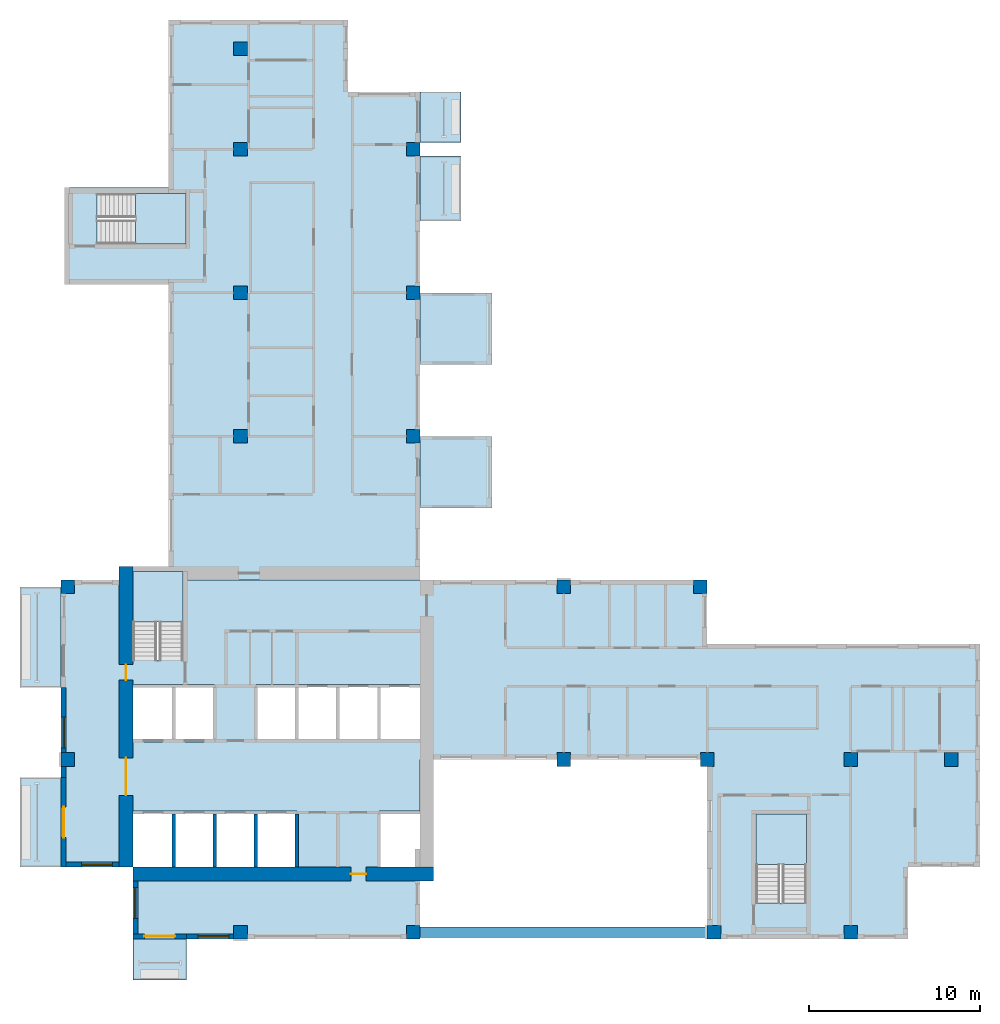
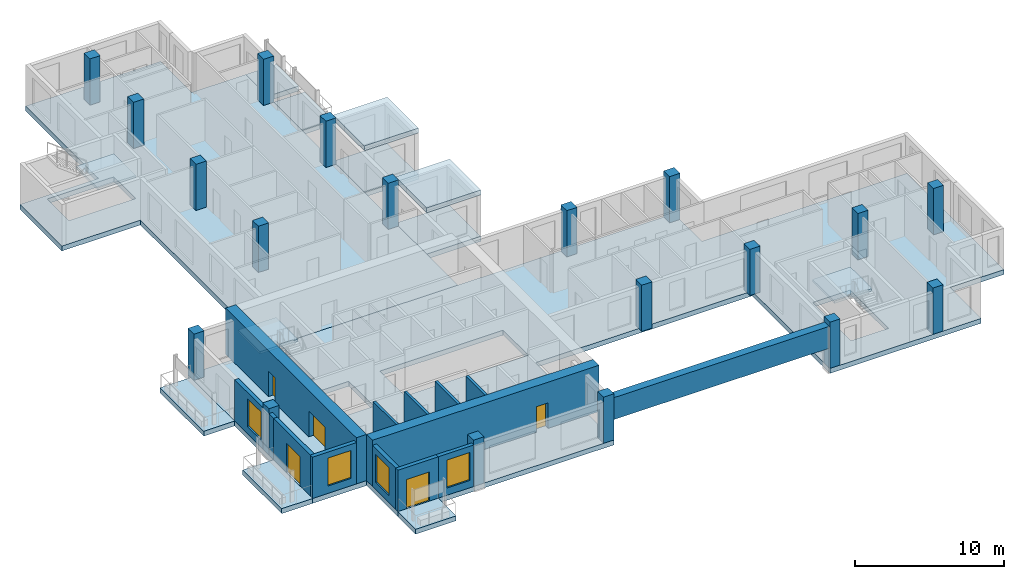
# One storey, part 1 of 11: 19 columns, 14 slabs, 13 walls, 5 doors, 4 windows, 1 beam, 9 openings, 3 elements without a shape of their own.
"""IFC4 building model written with IfcOpenShell, lengths in metres."""

from ifc_helpers import new_model, si_unit, direction, frame, frame_2d, origin, origin_2d, place, context, subcontext, project, spatial, polyline, rectangle, outline, extrude, source, transform, mapped, material, layer, layer_set, material_profile, profile_set, type_object, element, fill, aggregate, save


model = new_model("IFC4")

# Units and contexts
model_context = context("Model", 3, precision=1e-05, world=origin(), true_north=direction((0.0, 1.0)))
body_context = subcontext(model_context, "Body", "Model", "MODEL_VIEW")
ifc_project = project(units=[si_unit("LENGTHUNIT", "METRE"), si_unit("AREAUNIT", "SQUARE_METRE"), si_unit("VOLUMEUNIT", "CUBIC_METRE"), si_unit("PLANEANGLEUNIT", "RADIAN"), si_unit("MASSUNIT", "GRAM", prefix="KILO")], contexts=[model_context])

# Site, building, storey
site_placement = place(None, origin())
site = spatial("IfcSite", under=ifc_project, at=site_placement, CompositionType="ELEMENT")
building_placement = place(site_placement, origin())
building = spatial("IfcBuilding", under=site, at=building_placement, Name="Aurelian Terraces", CompositionType="ELEMENT")
storey_placement = place(building_placement, frame((0.0, 0.0, 261.4)))
storey = spatial("IfcBuildingStorey", under=building, at=storey_placement, Name="L60", CompositionType="ELEMENT", Elevation=261.4)

# Columns
ifc_material_1 = material(Name="Concrete fc' 70 MPa", Category="concrete")
ifc_material_profile_1 = material_profile(ifc_material_1, rectangle(XDim=0.8, YDim=0.8, at=origin_2d()))
ifc_profile_set_1 = profile_set([ifc_material_profile_1], Name="Concrete fc' 70 MPa")
column_type = type_object("IfcColumnType", Name="RC COLUMN 800X800 FC70", PredefinedType="COLUMN", material=ifc_profile_set_1)
shared_shape_1 = source(origin(), body_context, "Body", "SweptSolid", [
    extrude(rectangle(XDim=0.8, YDim=0.8, at=origin_2d()), origin(), (0.0, 0.0, 1.0), 3.8),
])
for number, where, z_axis, x_axis, name in (
    (1, (10.5, 0.4, 0.0), (0.0, 0.0, 1.0), (1.0, 0.0, 0.0), "Column 2/A L60"),
    (2, (20.6, 0.4, 0.0), (0.0, 0.0, 1.0), (1.0, 0.0, 0.0), "Column 3/A L60"),
    (3, (38.2, 0.4, 0.0), (0.0, 0.0, 1.0), (1.0, 0.0, 0.0), "Column 5/A L60"),
    (4, (46.2, 0.4, 0.0), (0.0, 0.0, 1.0), (1.0, 0.0, 0.0), "Column 6/A L60"),
    (5, (0.4, 10.5, 0.0), (0.0, 0.0, 1.0), (1.0, 0.0, 0.0), "Column 1/B L60"),
    (6, (29.4, 10.5, 0.0), (0.0, 0.0, 1.0), (1.0, 0.0, 0.0), "Column 4/B L60"),
    (7, (37.8, 10.5, 0.0), (0.0, 0.0, 1.0), (1.0, 0.0, 0.0), "Column 5/B L60"),
    (8, (46.2, 10.5, 0.0), (0.0, 0.0, 1.0), (1.0, 0.0, 0.0), "Column 6/B L60"),
    (9, (52.08, 10.5, 0.0), (0.0, 0.0, 1.0), (1.0, 0.0, 0.0), "Column 7/B L60"),
    (10, (0.4, 20.6, 0.0), (0.0, 0.0, 1.0), (1.0, 0.0, 0.0), "Column 1/C L60"),
    (11, (29.4, 20.6, 0.0), (0.0, 0.0, 1.0), (1.0, 0.0, 0.0), "Column 4/C L60"),
    (12, (37.4, 20.6, 0.0), (0.0, 0.0, 1.0), (1.0, 0.0, 0.0), "Column 5/C L60"),
    (13, (10.5, 29.4, 0.0), (0.0, 0.0, 1.0), (1.0, 0.0, 0.0), "Column 2/D L60"),
    (14, (20.6, 29.4, 0.0), (0.0, 0.0, 1.0), (1.0, 0.0, 0.0), "Column 3/D L60"),
    (15, (10.5, 37.8, 0.0), (0.0, 0.0, 1.0), (1.0, 0.0, 0.0), "Column 2/E L60"),
    (16, (20.6, 37.8, 0.0), (0.0, 0.0, 1.0), (1.0, 0.0, 0.0), "Column 3/E L60"),
    (17, (10.5, 46.2, 0.0), (0.0, 0.0, 1.0), (1.0, 0.0, 0.0), "Column 2/F L60"),
    (18, (20.6, 46.2, 0.0), (0.0, 0.0, 1.0), (1.0, 0.0, 0.0), "Column 3/F L60"),
    (19, (10.5, 52.08, 0.0), (0.0, 0.0, 1.0), (1.0, 0.0, 0.0), "Column 2/G L60"),
):
    element("IfcColumn", number, at=place(storey_placement, frame(where, z_axis=z_axis, x_axis=x_axis)), inside=storey, type_object=column_type, Name=name, PredefinedType="COLUMN", context=body_context, shape_type="MappedRepresentation", body=[
        mapped(shared_shape_1, transform((0.0, 0.0, 0.0), scale=1.0)),
    ])

# Beam
ifc_material_profile_2 = material_profile(ifc_material_1, rectangle(XDim=0.6, YDim=1.8, at=origin_2d()))
ifc_profile_set_2 = profile_set([ifc_material_profile_2], Name="Concrete fc' 70 MPa")
beam_type = type_object("IfcBeamType", Name="CONCRETE HEAD GIRDER 600X1800", PredefinedType="BEAM", material=ifc_profile_set_2)
shared_shape_2 = source(origin(), body_context, "Body", "SweptSolid", [
    extrude(rectangle(XDim=0.6, YDim=1.8, at=origin_2d()), origin(), (0.0, 0.0, 1.0), 16.8),
])
beam_placement = place(storey_placement, frame((21.0, 0.4, 2.5), z_axis=(1.0, 0.0, 0.0), x_axis=(0.0, 1.0, 0.0)))
element("IfcBeam", 20, at=beam_placement, inside=storey, type_object=beam_type, Name="Sky terrace head girder SKY-09.1", PredefinedType="BEAM", context=body_context, shape_type="MappedRepresentation", body=[
    mapped(shared_shape_2, transform((0.0, 0.0, 0.0), scale=1.0)),
])

# Slabs
ifc_material_2 = material(Name="Concrete fc' 40 MPa", Category="concrete")
ifc_layer_1 = layer(ifc_material_2, 0.4)
ifc_layer_set_1 = layer_set([ifc_layer_1], Name="PT FLAT PLATE 400")
slab_type_1 = type_object("IfcSlabType", Name="PT FLAT PLATE 400", PredefinedType="FLOOR", material=ifc_layer_set_1)
shared_shape_3 = source(origin(), body_context, "Body", "SweptSolid", [
    extrude(outline(polyline([(0.2, 43.95), (6.3, 43.95), (6.3, 49.56), (6.3, 53.76), (10.5, 53.76), (16.8, 53.76), (16.8, 49.56), (21.0, 49.56), (21.0, 21.0), (7.14, 21.0), (7.14, 21.49), (4.21, 21.49), (4.21, 21.0), (4.2, 21.0), (4.2, 21.6), (6.3, 21.6), (6.3, 38.3), (0.2, 38.3), (0.2, 43.95)]), holes=[polyline([(7.29, 43.59), (2.11, 43.59), (2.11, 40.66), (7.29, 40.66), (7.29, 43.59)])]), origin(), (0.0, 0.0, 1.0), 0.4),
])
slab_1_placement = place(storey_placement, frame((0.0, 0.0, -0.4)))
element("IfcSlab", 21, at=slab_1_placement, inside=storey, type_object=slab_type_1, Name="Floor slab W L60", PredefinedType="FLOOR", context=body_context, shape_type="MappedRepresentation", body=[
    mapped(shared_shape_3, transform((0.0, 0.0, 0.0), scale=1.0)),
])
shared_shape_4 = source(origin(), body_context, "Body", "SweptSolid", [
    extrude(outline(polyline([(49.56, 4.2), (49.56, 0.0), (37.8, 0.0), (37.8, 10.5), (21.0, 10.5), (21.0, 0.0), (4.2, 0.0), (4.2, 4.2), (0.0, 4.2), (0.0, 21.0), (4.21, 21.0), (4.21, 16.31), (7.14, 16.31), (7.14, 21.0), (21.0, 21.0), (37.8, 21.0), (37.8, 17.25), (49.56, 17.25), (53.76, 17.25), (53.76, 16.8), (53.76, 16.65), (53.76, 4.2), (49.56, 4.2)]), holes=[polyline([(40.66, 2.11), (43.59, 2.11), (43.59, 7.29), (40.66, 7.29), (40.66, 2.11)]), polyline([(18.61, 7.49), (18.61, 4.21), (20.99, 4.21), (20.99, 7.49), (18.61, 7.49)]), polyline([(20.99, 14.89), (11.41, 14.89), (11.41, 11.51), (20.99, 11.51), (20.99, 14.89)]), polyline([(4.21, 7.49), (4.21, 4.21), (13.79, 4.21), (13.79, 7.49), (4.21, 7.49)]), polyline([(4.21, 14.89), (4.21, 11.51), (8.99, 11.51), (8.99, 14.89), (4.21, 14.89)])]), origin(), (0.0, 0.0, 1.0), 0.4),
])
slab_2_placement = place(storey_placement, frame((0.0, 0.0, -0.4)))
element("IfcSlab", 22, at=slab_2_placement, inside=storey, type_object=slab_type_1, Name="Floor slab S L60", PredefinedType="FLOOR", context=body_context, shape_type="MappedRepresentation", body=[
    mapped(shared_shape_4, transform((0.0, 0.0, 0.0), scale=1.0)),
])
ifc_layer_2 = layer(ifc_material_2, 0.41)
ifc_layer_set_2 = layer_set([ifc_layer_2], Name="Box floor 410")
slab_type_2 = type_object("IfcSlabType", Name="Box floor 410", PredefinedType="NOTDEFINED", material=ifc_layer_set_2)
shared_shape_5 = source(origin(), body_context, "Body", "SweptSolid", [
    extrude(outline(polyline([(25.2, 25.2), (25.2, 29.4), (21.0, 29.4), (21.0, 25.2), (25.2, 25.2)])), origin(), (0.0, 0.0, 1.0), 0.41),
])
slab_3_placement = place(storey_placement, frame((0.0, 0.0, -0.41)))
element("IfcSlab", 23, at=slab_3_placement, inside=storey, type_object=slab_type_2, Name="Box floor L60 J86", PredefinedType="NOTDEFINED", context=body_context, shape_type="MappedRepresentation", body=[
    mapped(shared_shape_5, transform((0.0, 0.0, 0.0), scale=1.0)),
])
shared_shape_6 = source(origin(), body_context, "Body", "SweptSolid", [
    extrude(outline(polyline([(25.2, 33.6), (25.2, 37.8), (21.0, 37.8), (21.0, 33.6), (25.2, 33.6)])), origin(), (0.0, 0.0, 1.0), 0.41),
])
slab_4_placement = place(storey_placement, frame((0.0, 0.0, -0.41)))
element("IfcSlab", 24, at=slab_4_placement, inside=storey, type_object=slab_type_2, Name="Box floor L60 J87", PredefinedType="NOTDEFINED", context=body_context, shape_type="MappedRepresentation", body=[
    mapped(shared_shape_6, transform((0.0, 0.0, 0.0), scale=1.0)),
])
ifc_layer_3 = layer(ifc_material_2, 0.4)
ifc_layer_set_3 = layer_set([ifc_layer_3], Name="Box roof 400")
slab_type_3 = type_object("IfcSlabType", Name="Box roof 400", PredefinedType="ROOF", material=ifc_layer_set_3)
shared_shape_7 = source(origin(), body_context, "Body", "SweptSolid", [
    extrude(outline(polyline([(25.2, 25.2), (25.2, 29.4), (21.0, 29.4), (21.0, 25.2), (25.2, 25.2)])), origin(), (0.0, 0.0, 1.0), 0.4),
])
slab_5_placement = place(storey_placement, frame((0.0, 0.0, 3.4)))
element("IfcSlab", 25, at=slab_5_placement, inside=storey, type_object=slab_type_3, Name="Box roof J86", PredefinedType="ROOF", context=body_context, shape_type="MappedRepresentation", body=[
    mapped(shared_shape_7, transform((0.0, 0.0, 0.0), scale=1.0)),
])
shared_shape_8 = source(origin(), body_context, "Body", "SweptSolid", [
    extrude(outline(polyline([(25.2, 33.6), (25.2, 37.8), (21.0, 37.8), (21.0, 33.6), (25.2, 33.6)])), origin(), (0.0, 0.0, 1.0), 0.4),
])
slab_6_placement = place(storey_placement, frame((0.0, 0.0, 3.4)))
element("IfcSlab", 26, at=slab_6_placement, inside=storey, type_object=slab_type_3, Name="Box roof J87", PredefinedType="ROOF", context=body_context, shape_type="MappedRepresentation", body=[
    mapped(shared_shape_8, transform((0.0, 0.0, 0.0), scale=1.0)),
])
ifc_layer_4 = layer(ifc_material_2, 0.4)
ifc_layer_set_4 = layer_set([ifc_layer_4], Name="Balcony slab 400")
slab_type_4 = type_object("IfcSlabType", Name="Balcony slab 400", PredefinedType="NOTDEFINED", material=ifc_layer_set_4)
shared_shape_9 = source(origin(), body_context, "Body", "SweptSolid", [
    extrude(outline(polyline([(0.0, 9.45), (0.0, 4.2), (-2.4, 4.2), (-2.4, 9.45), (0.0, 9.45)])), origin(), (0.0, 0.0, 1.0), 0.4),
])
slab_7_placement = place(storey_placement, frame((0.0, 0.0, -0.4)))
element("IfcSlab", 27, at=slab_7_placement, inside=storey, type_object=slab_type_4, Name="Balcony slab L60 F24.39", PredefinedType="NOTDEFINED", context=body_context, shape_type="MappedRepresentation", body=[
    mapped(shared_shape_9, transform((0.0, 0.0, 0.0), scale=1.0)),
])
shared_shape_10 = source(origin(), body_context, "Body", "SweptSolid", [
    extrude(outline(polyline([(4.2, 0.0), (7.35, 0.0), (7.35, -2.4), (4.2, -2.4), (4.2, 0.0)])), origin(), (0.0, 0.0, 1.0), 0.4),
])
slab_8_placement = place(storey_placement, frame((0.0, 0.0, -0.4)))
element("IfcSlab", 28, at=slab_8_placement, inside=storey, type_object=slab_type_4, Name="Balcony slab L60 F01.1", PredefinedType="NOTDEFINED", context=body_context, shape_type="MappedRepresentation", body=[
    mapped(shared_shape_10, transform((0.0, 0.0, 0.0), scale=1.0)),
])
shared_shape_11 = source(origin(), body_context, "Body", "SweptSolid", [
    extrude(outline(polyline([(21.0, 46.6), (21.0, 49.56), (23.4, 49.56), (23.4, 46.6), (21.0, 46.6)])), origin(), (0.0, 0.0, 1.0), 0.4),
])
slab_9_placement = place(storey_placement, frame((0.0, 0.0, -0.4)))
element("IfcSlab", 29, at=slab_9_placement, inside=storey, type_object=slab_type_4, Name="Balcony slab L60 F12.24", PredefinedType="NOTDEFINED", context=body_context, shape_type="MappedRepresentation", body=[
    mapped(shared_shape_11, transform((0.0, 0.0, 0.0), scale=1.0)),
])
shared_shape_12 = source(origin(), body_context, "Body", "SweptSolid", [
    extrude(outline(polyline([(21.0, 42.0), (21.0, 45.8), (23.4, 45.8), (23.4, 42.0), (21.0, 42.0)])), origin(), (0.0, 0.0, 1.0), 0.4),
])
slab_10_placement = place(storey_placement, frame((0.0, 0.0, -0.4)))
element("IfcSlab", 30, at=slab_10_placement, inside=storey, type_object=slab_type_4, Name="Balcony slab L60 F12.23", PredefinedType="NOTDEFINED", context=body_context, shape_type="MappedRepresentation", body=[
    mapped(shared_shape_12, transform((0.0, 0.0, 0.0), scale=1.0)),
])
shared_shape_13 = source(origin(), body_context, "Body", "SweptSolid", [
    extrude(outline(polyline([(0.0, 20.6), (0.0, 14.7), (-2.4, 14.7), (-2.4, 20.6), (0.0, 20.6)])), origin(), (0.0, 0.0, 1.0), 0.4),
])
slab_11_placement = place(storey_placement, frame((0.0, 0.0, -0.4)))
element("IfcSlab", 31, at=slab_11_placement, inside=storey, type_object=slab_type_4, Name="Balcony slab L60 F24.37", PredefinedType="NOTDEFINED", context=body_context, shape_type="MappedRepresentation", body=[
    mapped(shared_shape_13, transform((0.0, 0.0, 0.0), scale=1.0)),
])

# Stair, slab
stair_type = type_object("IfcStairType", Name="Stair 1400", PredefinedType="HALF_TURN_STAIR", material=ifc_material_2)
stair_1_placement = place(storey_placement, origin())
stair_1 = element("IfcStair", 32, at=stair_1_placement, inside=storey, type_object=stair_type, Name="L60 S1", PredefinedType="HALF_TURN_STAIR")
ifc_layer_5 = layer(ifc_material_2, 0.2)
ifc_layer_set_5 = layer_set([ifc_layer_5], Name="Stair landing 200")
slab_type_5 = type_object("IfcSlabType", Name="Stair landing 200", PredefinedType="LANDING", material=ifc_layer_set_5)
shared_shape_14 = source(origin(), body_context, "Body", "SweptSolid", [
    extrude(outline(polyline([(7.15, 18.55), (7.15, 21.5), (4.2, 21.5), (4.2, 18.55), (7.15, 18.55)])), origin(), (0.0, 0.0, 1.0), 0.2),
])
slab_12_placement = place(storey_placement, frame((0.0, 0.0, 1.7)))
slab_12 = element("IfcSlab", 33, at=slab_12_placement, type_object=slab_type_5, Name="S1 landing 1", PredefinedType="LANDING", context=body_context, shape_type="MappedRepresentation", body=[
    mapped(shared_shape_14, transform((0.0, 0.0, 0.0), scale=1.0)),
])
aggregate(stair_1, [slab_12])

stair_2_placement = place(storey_placement, origin())
stair_2 = element("IfcStair", 34, at=stair_2_placement, inside=storey, type_object=stair_type, Name="L60 S2", PredefinedType="HALF_TURN_STAIR")
shared_shape_15 = source(origin(), body_context, "Body", "SweptSolid", [
    extrude(outline(polyline([(43.6, 4.35), (43.6, 7.3), (40.65, 7.3), (40.65, 4.35), (43.6, 4.35)])), origin(), (0.0, 0.0, 1.0), 0.2),
])
slab_13_placement = place(storey_placement, frame((0.0, 0.0, 1.7)))
slab_13 = element("IfcSlab", 35, at=slab_13_placement, type_object=slab_type_5, Name="S2 landing 1", PredefinedType="LANDING", context=body_context, shape_type="MappedRepresentation", body=[
    mapped(shared_shape_15, transform((0.0, 0.0, 0.0), scale=1.0)),
])
aggregate(stair_2, [slab_13])

stair_3_placement = place(storey_placement, origin())
stair_3 = element("IfcStair", 36, at=stair_3_placement, inside=storey, type_object=stair_type, Name="L60 S3", PredefinedType="HALF_TURN_STAIR")
shared_shape_16 = source(origin(), body_context, "Body", "SweptSolid", [
    extrude(outline(polyline([(4.35, 40.65), (7.3, 40.65), (7.3, 43.6), (4.35, 43.6), (4.35, 40.65)])), origin(), (0.0, 0.0, 1.0), 0.2),
])
slab_14_placement = place(storey_placement, frame((0.0, 0.0, 1.7)))
slab_14 = element("IfcSlab", 37, at=slab_14_placement, type_object=slab_type_5, Name="S3 landing 1", PredefinedType="LANDING", context=body_context, shape_type="MappedRepresentation", body=[
    mapped(shared_shape_16, transform((0.0, 0.0, 0.0), scale=1.0)),
])
aggregate(stair_3, [slab_14])

# Wall, openings, doors
ifc_layer_6 = layer(ifc_material_1, 0.8)
ifc_layer_set_6 = layer_set([ifc_layer_6], Name="CORE WALL 800 FC70")
wall_type_1 = type_object("IfcWallType", Name="CORE WALL 800 FC70", PredefinedType="SHEAR", material=ifc_layer_set_6)
shared_shape_17 = source(origin(), body_context, "Body", "SweptSolid", [
    extrude(rectangle(XDim=17.6, YDim=0.8, at=frame_2d((8.8, 0.0))), origin(), (0.0, 0.0, 1.0), 3.8),
])
wall_1_placement = place(storey_placement, frame((3.8, 4.2, 0.0), z_axis=(0.0, 0.0, 1.0), x_axis=(0.0, 1.0, 0.0)))
wall_1 = element("IfcWall", 38, at=wall_1_placement, inside=storey, type_object=wall_type_1, Name="Core wall W L60", PredefinedType="SHEAR", context=body_context, shape_type="MappedRepresentation", body=[
    mapped(shared_shape_17, transform((0.0, 0.0, 0.0), scale=1.0)),
])
shared_shape_18 = source(origin(), body_context, "Body", "SweptSolid", [
    extrude(rectangle(XDim=2.2, YDim=2.1, at=frame_2d((1.1, 1.05))), frame((0.0, 0.41, 0.0), z_axis=(0.0, -1.0, 0.0), x_axis=(1.0, 0.0, 0.0)), (0.0, 0.0, 1.0), 0.82),
])
opening_1_placement = place(wall_1_placement, frame((4.2, 0.0, 0.0)))
opening_1 = element("IfcOpeningElement", 39, at=opening_1_placement, cuts=wall_1, Name="Opening 66323", PredefinedType="OPENING", context=body_context, shape_type="MappedRepresentation", body=[
    mapped(shared_shape_18, transform((0.0, 0.0, 0.0), scale=1.0)),
])
shared_shape_19 = source(origin(), body_context, "Body", "SweptSolid", [
    extrude(rectangle(XDim=0.9, YDim=2.1, at=frame_2d((0.45, 1.05))), frame((0.0, 0.41, 0.0), z_axis=(0.0, -1.0, 0.0), x_axis=(1.0, 0.0, 0.0)), (0.0, 0.0, 1.0), 0.82),
])
opening_2_placement = place(wall_1_placement, frame((10.95, 0.0, 0.0)))
opening_2 = element("IfcOpeningElement", 40, at=opening_2_placement, cuts=wall_1, Name="Opening 66327", PredefinedType="OPENING", context=body_context, shape_type="MappedRepresentation", body=[
    mapped(shared_shape_19, transform((0.0, 0.0, 0.0), scale=1.0)),
])
ifc_material_3 = material(Name="Steel door leaf", Category="steel")
door_type_1 = type_object("IfcDoorType", Name="Core service door 900x2100 right", OperationType="SINGLE_SWING_RIGHT", PredefinedType="DOOR", material=ifc_material_3)
shared_shape_20 = source(origin(), body_context, "Body", "SweptSolid", [
    extrude(rectangle(XDim=0.9, YDim=2.1, at=frame_2d((0.45, 1.05))), frame((0.0, 0.025, 0.0), z_axis=(0.0, -1.0, 0.0), x_axis=(1.0, 0.0, 0.0)), (0.0, 0.0, 1.0), 0.05),
])
door_1_placement = place(opening_2_placement, origin())
door_1 = element("IfcDoor", 41, at=door_1_placement, inside=storey, type_object=door_type_1, Name="Core door 66327", OperationType="SINGLE_SWING_RIGHT", OverallHeight=2.1, OverallWidth=0.9, PredefinedType="DOOR", context=body_context, shape_type="MappedRepresentation", body=[
    mapped(shared_shape_20, transform((0.0, 0.0, 0.0), scale=1.0)),
])
fill(opening_2, door_1)
door_type_2 = type_object("IfcDoorType", Name="Core double door 2200x2100", OperationType="DOUBLE_DOOR_SINGLE_SWING", PredefinedType="DOOR", material=ifc_material_3)
shared_shape_21 = source(origin(), body_context, "Body", "SweptSolid", [
    extrude(rectangle(XDim=2.2, YDim=2.1, at=frame_2d((1.1, 1.05))), frame((0.0, 0.025, 0.0), z_axis=(0.0, -1.0, 0.0), x_axis=(1.0, 0.0, 0.0)), (0.0, 0.0, 1.0), 0.05),
])
door_2_placement = place(opening_1_placement, origin())
door_2 = element("IfcDoor", 42, at=door_2_placement, inside=storey, type_object=door_type_2, Name="Core door 66323", OperationType="DOUBLE_DOOR_SINGLE_SWING", OverallHeight=2.1, OverallWidth=2.2, PredefinedType="DOOR", context=body_context, shape_type="MappedRepresentation", body=[
    mapped(shared_shape_21, transform((0.0, 0.0, 0.0), scale=1.0)),
])
fill(opening_1, door_2)

# Wall, opening, door
wall_2_placement = place(storey_placement, frame((4.2, 3.8, 0.0), z_axis=(0.0, 0.0, 1.0), x_axis=(1.0, 0.0, 0.0)))
wall_2 = element("IfcWall", 43, at=wall_2_placement, inside=storey, type_object=wall_type_1, Name="Core wall S L60", PredefinedType="SHEAR", context=body_context, shape_type="MappedRepresentation", body=[
    mapped(shared_shape_17, transform((0.0, 0.0, 0.0), scale=1.0)),
])
opening_3_placement = place(wall_2_placement, frame((12.75, 0.0, 0.0)))
opening_3 = element("IfcOpeningElement", 44, at=opening_3_placement, cuts=wall_2, Name="Opening 66326", PredefinedType="OPENING", context=body_context, shape_type="MappedRepresentation", body=[
    mapped(shared_shape_19, transform((0.0, 0.0, 0.0), scale=1.0)),
])
door_type_3 = type_object("IfcDoorType", Name="Core service door 900x2100", OperationType="SINGLE_SWING_LEFT", PredefinedType="DOOR", material=ifc_material_3)
door_3_placement = place(opening_3_placement, origin())
door_3 = element("IfcDoor", 45, at=door_3_placement, inside=storey, type_object=door_type_3, Name="Core door 66326", OperationType="SINGLE_SWING_LEFT", OverallHeight=2.1, OverallWidth=0.9, PredefinedType="DOOR", context=body_context, shape_type="MappedRepresentation", body=[
    mapped(shared_shape_20, transform((0.0, 0.0, 0.0), scale=1.0)),
])
fill(opening_3, door_3)

# Wall, opening, window
ifc_material_4 = material(Name="Terracotta rainscreen cladding", Category="masonry")
ifc_layer_7 = layer(ifc_material_4, 0.3)
ifc_layer_set_7 = layer_set([ifc_layer_7], Name="EW-300")
wall_type_2 = type_object("IfcWallType", Name="EW-300", PredefinedType="STANDARD", material=ifc_layer_set_7)
shared_shape_22 = source(origin(), body_context, "Body", "SweptSolid", [
    extrude(rectangle(XDim=3.4, YDim=0.3, at=frame_2d((1.7, 0.0))), origin(), (0.0, 0.0, 1.0), 3.4),
])
wall_3_placement = place(storey_placement, frame((0.0, 4.35, 0.0), z_axis=(0.0, 0.0, 1.0), x_axis=(1.0, 0.0, 0.0)))
wall_3 = element("IfcWall", 46, at=wall_3_placement, inside=storey, type_object=wall_type_2, Name="External wall L60 F25.40", PredefinedType="STANDARD", context=body_context, shape_type="MappedRepresentation", body=[
    mapped(shared_shape_22, transform((0.0, 0.0, 0.0), scale=1.0)),
])
shared_shape_23 = source(origin(), body_context, "Body", "SweptSolid", [
    extrude(rectangle(XDim=1.8, YDim=2.3, at=frame_2d((0.9, 1.15))), frame((0.0, 0.16, 0.0), z_axis=(0.0, -1.0, 0.0), x_axis=(1.0, 0.0, 0.0)), (0.0, 0.0, 1.0), 0.32),
])
opening_4_placement = place(wall_3_placement, frame((1.2, 0.0, 0.6)))
opening_4 = element("IfcOpeningElement", 47, at=opening_4_placement, cuts=wall_3, Name="Opening W1823", PredefinedType="OPENING", context=body_context, shape_type="MappedRepresentation", body=[
    mapped(shared_shape_23, transform((0.0, 0.0, 0.0), scale=1.0)),
])
ifc_material_5 = material(Name="Clear glazing", Category="glass")
window_type = type_object("IfcWindowType", Name="W-1800x2300", PartitioningType="SINGLE_PANEL", PredefinedType="WINDOW", material=ifc_material_5)
shared_shape_24 = source(origin(), body_context, "Body", "SweptSolid", [
    extrude(rectangle(XDim=1.8, YDim=2.3, at=frame_2d((0.9, 1.15))), frame((0.0, 0.03, 0.0), z_axis=(0.0, -1.0, 0.0), x_axis=(1.0, 0.0, 0.0)), (0.0, 0.0, 1.0), 0.06),
])
window_1_placement = place(opening_4_placement, origin())
window_1 = element("IfcWindow", 48, at=window_1_placement, inside=storey, type_object=window_type, Name="Window L60 L60-F25-40-0", OverallHeight=2.3, OverallWidth=1.8, PartitioningType="SINGLE_PANEL", PredefinedType="WINDOW", context=body_context, shape_type="MappedRepresentation", body=[
    mapped(shared_shape_24, transform((0.0, 0.0, 0.0), scale=1.0)),
])
fill(opening_4, window_1)

wall_4_placement = place(storey_placement, frame((4.35, 3.4, 0.0), z_axis=(0.0, 0.0, 1.0), x_axis=(0.0, -1.0, 0.0)))
wall_4 = element("IfcWall", 49, at=wall_4_placement, inside=storey, type_object=wall_type_2, Name="External wall L60 F26.41", PredefinedType="STANDARD", context=body_context, shape_type="MappedRepresentation", body=[
    mapped(shared_shape_22, transform((0.0, 0.0, 0.0), scale=1.0)),
])
opening_5_placement = place(wall_4_placement, frame((0.4, 0.0, 0.6)))
opening_5 = element("IfcOpeningElement", 50, at=opening_5_placement, cuts=wall_4, Name="Opening W1823", PredefinedType="OPENING", context=body_context, shape_type="MappedRepresentation", body=[
    mapped(shared_shape_23, transform((0.0, 0.0, 0.0), scale=1.0)),
])
window_2_placement = place(opening_5_placement, origin())
window_2 = element("IfcWindow", 51, at=window_2_placement, inside=storey, type_object=window_type, Name="Window L60 L60-F26-41-0", OverallHeight=2.3, OverallWidth=1.8, PartitioningType="SINGLE_PANEL", PredefinedType="WINDOW", context=body_context, shape_type="MappedRepresentation", body=[
    mapped(shared_shape_24, transform((0.0, 0.0, 0.0), scale=1.0)),
])
fill(opening_5, window_2)

# Wall, opening, door
shared_shape_25 = source(origin(), body_context, "Body", "SweptSolid", [
    extrude(rectangle(XDim=3.15, YDim=0.3, at=frame_2d((1.575, 0.0))), origin(), (0.0, 0.0, 1.0), 3.4),
])
wall_5_placement = place(storey_placement, frame((4.2, 0.15, 0.0), z_axis=(0.0, 0.0, 1.0), x_axis=(1.0, 0.0, 0.0)))
wall_5 = element("IfcWall", 52, at=wall_5_placement, inside=storey, type_object=wall_type_2, Name="External wall L60 F01.1", PredefinedType="STANDARD", context=body_context, shape_type="MappedRepresentation", body=[
    mapped(shared_shape_25, transform((0.0, 0.0, 0.0), scale=1.0)),
])
shared_shape_26 = source(origin(), body_context, "Body", "SweptSolid", [
    extrude(rectangle(XDim=1.8, YDim=2.4, at=frame_2d((0.9, 1.2))), frame((0.0, 0.16, 0.0), z_axis=(0.0, -1.0, 0.0), x_axis=(1.0, 0.0, 0.0)), (0.0, 0.0, 1.0), 0.32),
])
opening_6_placement = place(wall_5_placement, frame((0.675, 0.0, 0.0)))
opening_6 = element("IfcOpeningElement", 53, at=opening_6_placement, cuts=wall_5, Name="Opening 86001", PredefinedType="OPENING", context=body_context, shape_type="MappedRepresentation", body=[
    mapped(shared_shape_26, transform((0.0, 0.0, 0.0), scale=1.0)),
])
door_type_4 = type_object("IfcDoorType", Name="BD-1800x2400", OperationType="SLIDING_TO_LEFT", PredefinedType="DOOR", material=ifc_material_5)
shared_shape_27 = source(origin(), body_context, "Body", "SweptSolid", [
    extrude(rectangle(XDim=1.8, YDim=2.4, at=frame_2d((0.9, 1.2))), frame((0.0, 0.025, 0.0), z_axis=(0.0, -1.0, 0.0), x_axis=(1.0, 0.0, 0.0)), (0.0, 0.0, 1.0), 0.05),
])
door_4_placement = place(opening_6_placement, origin())
door_4 = element("IfcDoor", 54, at=door_4_placement, inside=storey, type_object=door_type_4, Name="Balcony door L60 F01.1", OperationType="SLIDING_TO_LEFT", OverallHeight=2.4, OverallWidth=1.8, PredefinedType="DOOR", context=body_context, shape_type="MappedRepresentation", body=[
    mapped(shared_shape_27, transform((0.0, 0.0, 0.0), scale=1.0)),
])
fill(opening_6, door_4)

shared_shape_28 = source(origin(), body_context, "Body", "SweptSolid", [
    extrude(rectangle(XDim=5.25, YDim=0.3, at=frame_2d((2.625, 0.0))), origin(), (0.0, 0.0, 1.0), 3.4),
])
wall_6_placement = place(storey_placement, frame((0.15, 9.45, 0.0), z_axis=(0.0, 0.0, 1.0), x_axis=(0.0, -1.0, 0.0)))
wall_6 = element("IfcWall", 55, at=wall_6_placement, inside=storey, type_object=wall_type_2, Name="External wall L60 F24.39", PredefinedType="STANDARD", context=body_context, shape_type="MappedRepresentation", body=[
    mapped(shared_shape_28, transform((0.0, 0.0, 0.0), scale=1.0)),
])
opening_7_placement = place(wall_6_placement, frame((1.725, 0.0, 0.0)))
opening_7 = element("IfcOpeningElement", 56, at=opening_7_placement, cuts=wall_6, Name="Opening 86005", PredefinedType="OPENING", context=body_context, shape_type="MappedRepresentation", body=[
    mapped(shared_shape_26, transform((0.0, 0.0, 0.0), scale=1.0)),
])
door_5_placement = place(opening_7_placement, origin())
door_5 = element("IfcDoor", 57, at=door_5_placement, inside=storey, type_object=door_type_4, Name="Balcony door L60 F24.39", OperationType="SLIDING_TO_LEFT", OverallHeight=2.4, OverallWidth=1.8, PredefinedType="DOOR", context=body_context, shape_type="MappedRepresentation", body=[
    mapped(shared_shape_27, transform((0.0, 0.0, 0.0), scale=1.0)),
])
fill(opening_7, door_5)

# Wall, opening, window
shared_shape_29 = source(origin(), body_context, "Body", "SweptSolid", [
    extrude(rectangle(XDim=2.75, YDim=0.3, at=frame_2d((1.375, 0.0))), origin(), (0.0, 0.0, 1.0), 3.4),
])
wall_7_placement = place(storey_placement, frame((7.35, 0.15, 0.0), z_axis=(0.0, 0.0, 1.0), x_axis=(1.0, 0.0, 0.0)))
wall_7 = element("IfcWall", 58, at=wall_7_placement, inside=storey, type_object=wall_type_2, Name="External wall L60 F01.2", PredefinedType="STANDARD", context=body_context, shape_type="MappedRepresentation", body=[
    mapped(shared_shape_29, transform((0.0, 0.0, 0.0), scale=1.0)),
])
opening_8_placement = place(wall_7_placement, frame((0.675, 0.0, 0.6)))
opening_8 = element("IfcOpeningElement", 59, at=opening_8_placement, cuts=wall_7, Name="Opening W1823", PredefinedType="OPENING", context=body_context, shape_type="MappedRepresentation", body=[
    mapped(shared_shape_23, transform((0.0, 0.0, 0.0), scale=1.0)),
])
window_3_placement = place(opening_8_placement, origin())
window_3 = element("IfcWindow", 60, at=window_3_placement, inside=storey, type_object=window_type, Name="Window L60 L60-F01-02-0", OverallHeight=2.3, OverallWidth=1.8, PartitioningType="SINGLE_PANEL", PredefinedType="WINDOW", context=body_context, shape_type="MappedRepresentation", body=[
    mapped(shared_shape_24, transform((0.0, 0.0, 0.0), scale=1.0)),
])
fill(opening_8, window_3)

shared_shape_30 = source(origin(), body_context, "Body", "SweptSolid", [
    extrude(rectangle(XDim=3.8, YDim=0.3, at=frame_2d((1.9, 0.0))), origin(), (0.0, 0.0, 1.0), 3.4),
])
wall_8_placement = place(storey_placement, frame((0.15, 14.7, 0.0), z_axis=(0.0, 0.0, 1.0), x_axis=(0.0, -1.0, 0.0)))
wall_8 = element("IfcWall", 61, at=wall_8_placement, inside=storey, type_object=wall_type_2, Name="External wall L60 F24.38", PredefinedType="STANDARD", context=body_context, shape_type="MappedRepresentation", body=[
    mapped(shared_shape_30, transform((0.0, 0.0, 0.0), scale=1.0)),
])
opening_9_placement = place(wall_8_placement, frame((1.725, 0.0, 0.6)))
opening_9 = element("IfcOpeningElement", 62, at=opening_9_placement, cuts=wall_8, Name="Opening W1823", PredefinedType="OPENING", context=body_context, shape_type="MappedRepresentation", body=[
    mapped(shared_shape_23, transform((0.0, 0.0, 0.0), scale=1.0)),
])
window_4_placement = place(opening_9_placement, origin())
window_4 = element("IfcWindow", 63, at=window_4_placement, inside=storey, type_object=window_type, Name="Window L60 L60-F24-38-0", OverallHeight=2.3, OverallWidth=1.8, PartitioningType="SINGLE_PANEL", PredefinedType="WINDOW", context=body_context, shape_type="MappedRepresentation", body=[
    mapped(shared_shape_24, transform((0.0, 0.0, 0.0), scale=1.0)),
])
fill(opening_9, window_4)

# Walls
shared_shape_31 = source(origin(), body_context, "Body", "SweptSolid", [
    extrude(rectangle(XDim=0.65, YDim=0.3, at=frame_2d((0.325, 0.0))), origin(), (0.0, 0.0, 1.0), 3.4),
])
wall_9_placement = place(storey_placement, frame((0.15, 10.1, 0.0), z_axis=(0.0, 0.0, 1.0), x_axis=(0.0, -1.0, 0.0)))
element("IfcWall", 64, at=wall_9_placement, inside=storey, type_object=wall_type_2, Name="External wall L60 F24.38", PredefinedType="STANDARD", context=body_context, shape_type="MappedRepresentation", body=[
    mapped(shared_shape_31, transform((0.0, 0.0, 0.0), scale=1.0)),
])
ifc_layer_8 = layer(ifc_material_2, 0.2)
ifc_layer_set_8 = layer_set([ifc_layer_8], Name="Lift shaft wall 200")
wall_type_3 = type_object("IfcWallType", Name="Lift shaft wall 200", PredefinedType="SOLIDWALL", material=ifc_layer_set_8)
shared_shape_32 = source(origin(), body_context, "Body", "SweptSolid", [
    extrude(rectangle(XDim=3.1, YDim=0.2, at=frame_2d((1.55, 0.0))), origin(), (0.0, 0.0, 1.0), 3.8),
])
for number, where, z_axis, x_axis, name in (
    (65, (6.6, 4.2, 0.0), (0.0, 0.0, 1.0), (0.0, 1.0, 0.0), "L60 core wall CD-A1"),
    (66, (9.0, 4.2, 0.0), (0.0, 0.0, 1.0), (0.0, 1.0, 0.0), "L60 core wall CD-A2"),
    (67, (11.4, 4.2, 0.0), (0.0, 0.0, 1.0), (0.0, 1.0, 0.0), "L60 core wall CD-A3"),
):
    element("IfcWall", number, at=place(storey_placement, frame(where, z_axis=z_axis, x_axis=x_axis)), inside=storey, type_object=wall_type_3, Name=name, PredefinedType="SOLIDWALL", context=body_context, shape_type="MappedRepresentation", body=[
        mapped(shared_shape_32, transform((0.0, 0.0, 0.0), scale=1.0)),
    ])
shared_shape_33 = source(origin(), body_context, "Body", "SweptSolid", [
    extrude(rectangle(XDim=3.1, YDim=0.2, at=frame_2d((1.55, 0.0))), origin(), (0.0, 0.0, 1.0), 3.4),
])
wall_10_placement = place(storey_placement, frame((13.8, 4.2, 0.0), z_axis=(0.0, 0.0, 1.0), x_axis=(0.0, 1.0, 0.0)))
element("IfcWall", 68, at=wall_10_placement, inside=storey, type_object=wall_type_3, Name="L60 core wall CD-A4", PredefinedType="SOLIDWALL", context=body_context, shape_type="MappedRepresentation", body=[
    mapped(shared_shape_33, transform((0.0, 0.0, 0.0), scale=1.0)),
])

save(model, "model.ifc")
